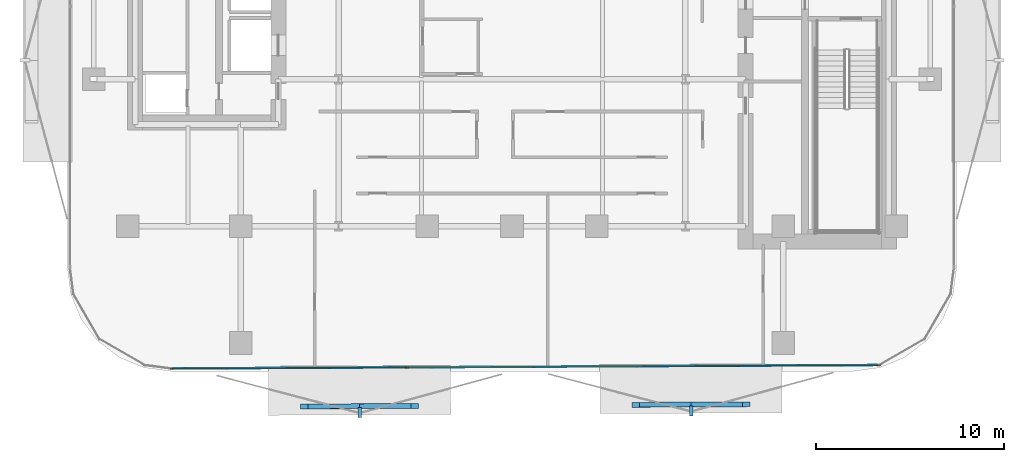
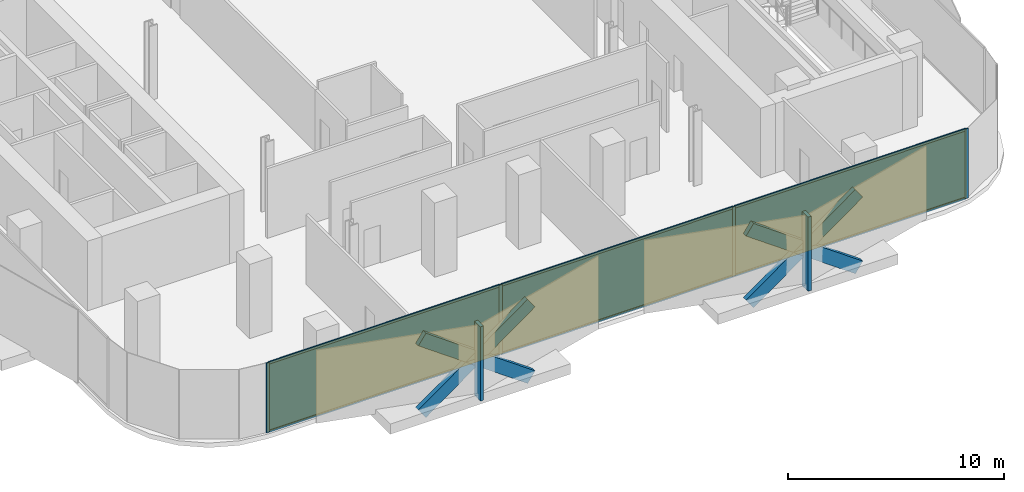
# One storey, part 7 of 15: 16 members, 3 plates, 1 curtain wall.
"""IFC4 building model written with IfcOpenShell, lengths in metres."""

from ifc_helpers import new_model, si_unit, direction, frame, frame_2d, origin, origin_2d, place, context, subcontext, project, spatial, rectangle, extrude, material, layer, layer_set, material_profile, profile_set, type_object, element, aggregate, save


model = new_model("IFC4")

# Units and contexts
model_context = context("Model", 3, precision=1e-05, world=origin(), true_north=direction((0.0, 1.0)))
body_context = subcontext(model_context, "Body", "Model", "MODEL_VIEW")
ifc_project = project(units=[si_unit("LENGTHUNIT", "METRE"), si_unit("AREAUNIT", "SQUARE_METRE"), si_unit("VOLUMEUNIT", "CUBIC_METRE"), si_unit("PLANEANGLEUNIT", "RADIAN"), si_unit("MASSUNIT", "GRAM", prefix="KILO")], contexts=[model_context])

# Member
ifc_material_1 = material(Name="Anodised Bronze Aluminium 6063-T6", Category="aluminium")
ifc_material_profile_1 = material_profile(ifc_material_1, rectangle(XDim=0.260009765625, YDim=0.699951171875, at=origin_2d()))
ifc_profile_set_1 = profile_set([ifc_material_profile_1], Name="Anodised Bronze Aluminium 6063-T6")
member_type_1 = type_object("IfcMemberType", Name="Bronze Diamond Solar-Screen Lattice Rib BDL-700", PredefinedType="MULLION", material=ifc_profile_set_1)
site_placement = place(None, origin())
building_placement = place(site_placement, origin())
storey_placement = place(building_placement, frame((0.0, 0.0, 122.60009765625)))
member_1_placement = place(storey_placement, frame((12.43408203125, -28.05078125, -0.130126953125), z_axis=(-0.812934950133, -0.003960582518, 0.582341034651), x_axis=(-0.007717649091, 0.999962326742, -0.003972780951)))
member_1 = element("IfcMember", 1, at=member_1_placement, type_object=member_type_1, Name="L28 Bronze Diamond Solar Screen Lattice Rib 169A", PredefinedType="MULLION", context=body_context, shape_type="SweptSolid", body=[
    extrude(rectangle(XDim=0.260009765625, YDim=0.699951171875, at=origin_2d()), origin(), (0.0, 0.0, 1.0), 7.212158203125),
])

member_2_placement = place(storey_placement, frame((6.571044921875, -28.079345703125, -0.130126953125), z_axis=(0.812934950133, 0.003960582518, 0.582341034651), x_axis=(0.007717649091, -0.999962326742, -0.003972780951)))
member_2 = element("IfcMember", 2, at=member_2_placement, type_object=member_type_1, Name="L28 Bronze Diamond Solar Screen Lattice Rib 169B", PredefinedType="MULLION", context=body_context, shape_type="SweptSolid", body=[
    extrude(rectangle(XDim=0.260009765625, YDim=0.699951171875, at=origin_2d()), origin(), (0.0, 0.0, 1.0), 7.212158203125),
])

member_3_placement = place(storey_placement, frame((-5.15478515625, -28.13671875, -0.130126953125), z_axis=(-0.812934950133, -0.003960582518, 0.582341034651), x_axis=(-0.007717649091, 0.999962326742, -0.003972780951)))
member_3 = element("IfcMember", 3, at=member_3_placement, type_object=member_type_1, Name="L28 Bronze Diamond Solar Screen Lattice Rib 170A", PredefinedType="MULLION", context=body_context, shape_type="SweptSolid", body=[
    extrude(rectangle(XDim=0.260009765625, YDim=0.699951171875, at=origin_2d()), origin(), (0.0, 0.0, 1.0), 7.212158203125),
])

member_4_placement = place(storey_placement, frame((-11.017822265625, -28.165283203125, -0.130126953125), z_axis=(0.812934950133, 0.003960582518, 0.582341034651), x_axis=(0.007717649091, -0.999962326742, -0.003972780951)))
member_4 = element("IfcMember", 4, at=member_4_placement, type_object=member_type_1, Name="L28 Bronze Diamond Solar Screen Lattice Rib 170B", PredefinedType="MULLION", context=body_context, shape_type="SweptSolid", body=[
    extrude(rectangle(XDim=0.260009765625, YDim=0.699951171875, at=origin_2d()), origin(), (0.0, 0.0, 1.0), 7.212158203125),
])

ifc_material_2 = material(Name="Anodised Bronze Aluminium 6063-T6", Category="aluminium")
ifc_material_profile_2 = material_profile(ifc_material_2, rectangle(XDim=0.179931640625, YDim=0.5400390625, at=origin_2d()))
ifc_profile_set_2 = profile_set([ifc_material_profile_2], Name="Anodised Bronze Aluminium 6063-T6")
member_type_2 = type_object("IfcMemberType", Name="Bronze Solar-Screen Vertical Fold Fin BSF-540", PredefinedType="MULLION", material=ifc_profile_set_2)
member_5_placement = place(storey_placement, frame((9.504150390625, -28.405029296875, -0.130126953125), z_axis=(0.0, 0.0, 1.0), x_axis=(-0.999988059021, -0.004886902454, 0.0)))
member_5 = element("IfcMember", 5, at=member_5_placement, type_object=member_type_2, Name="L28 Bronze Solar Screen Vertical Fin 169", PredefinedType="MULLION", context=body_context, shape_type="SweptSolid", body=[
    extrude(rectangle(XDim=0.179931640625, YDim=0.5400390625, at=origin_2d()), origin(), (0.0, 0.0, 1.0), 4.199951171875),
])

member_6_placement = place(storey_placement, frame((-8.084716796875, -28.4912109375, -0.130126953125), z_axis=(0.0, 0.0, 1.0), x_axis=(-0.999988059021, -0.004886902454, 0.0)))
member_6 = element("IfcMember", 6, at=member_6_placement, type_object=member_type_2, Name="L28 Bronze Solar Screen Vertical Fin 170", PredefinedType="MULLION", context=body_context, shape_type="SweptSolid", body=[
    extrude(rectangle(XDim=0.179931640625, YDim=0.5400390625, at=origin_2d()), origin(), (0.0, 0.0, 1.0), 4.199951171875),
])

ifc_material_3 = material(Name="Anodised Bronze Aluminium 6063-T6", Category="aluminium")
ifc_material_profile_3 = material_profile(ifc_material_3, rectangle(XDim=0.06494140625, YDim=0.175048828125, at=origin_2d()))
ifc_profile_set_3 = profile_set([ifc_material_profile_3], Name="Anodised Bronze Aluminium 6063-T6")
member_type_3 = type_object("IfcMemberType", Name="CW-Z2 Mullion 65x175", PredefinedType="MULLION", material=ifc_profile_set_3)
member_7_placement = place(storey_placement, frame((19.45458984375, -25.976318359375, 0.0), z_axis=(0.0, 0.0, 1.0), x_axis=(0.004891127252, -0.999988038366, 0.0)))
member_7 = element("IfcMember", 7, at=member_7_placement, type_object=member_type_3, Name="CW-Z2 mullion 1", PredefinedType="MULLION", context=body_context, shape_type="SweptSolid", body=[
    extrude(rectangle(XDim=0.06494140625, YDim=0.175048828125, at=origin_2d()), origin(), (0.0, 0.0, 1.0), 3.93994140625),
])

member_8_placement = place(storey_placement, frame((6.961181640625, -26.037353515625, 0.0), z_axis=(0.0, 0.0, 1.0), x_axis=(0.004891127252, -0.999988038366, 0.0)))
member_8 = element("IfcMember", 8, at=member_8_placement, type_object=member_type_3, Name="CW-Z2 mullion 2", PredefinedType="MULLION", context=body_context, shape_type="SweptSolid", body=[
    extrude(rectangle(XDim=0.06494140625, YDim=0.175048828125, at=origin_2d()), origin(), (0.0, 0.0, 1.0), 3.93994140625),
])

member_9_placement = place(storey_placement, frame((-5.56494140625, -26.0986328125, 0.0), z_axis=(0.0, 0.0, 1.0), x_axis=(0.004891127252, -0.999988038366, 0.0)))
member_9 = element("IfcMember", 9, at=member_9_placement, type_object=member_type_3, Name="CW-Z2 mullion 3", PredefinedType="MULLION", context=body_context, shape_type="SweptSolid", body=[
    extrude(rectangle(XDim=0.06494140625, YDim=0.175048828125, at=origin_2d()), origin(), (0.0, 0.0, 1.0), 3.93994140625),
])

member_10_placement = place(storey_placement, frame((-18.058349609375, -26.159912109375, 0.0), z_axis=(0.0, 0.0, 1.0), x_axis=(0.004891127252, -0.999988038366, 0.0)))
member_10 = element("IfcMember", 10, at=member_10_placement, type_object=member_type_3, Name="CW-Z2 mullion 4", PredefinedType="MULLION", context=body_context, shape_type="SweptSolid", body=[
    extrude(rectangle(XDim=0.06494140625, YDim=0.175048828125, at=origin_2d()), origin(), (0.0, 0.0, 1.0), 3.93994140625),
])

ifc_material_4 = material(Name="Anodised Bronze Aluminium 6063-T6", Category="aluminium")
ifc_material_profile_4 = material_profile(ifc_material_4, rectangle(XDim=0.06494140625, YDim=0.135009765625, at=origin_2d()))
ifc_profile_set_4 = profile_set([ifc_material_profile_4], Name="Anodised Bronze Aluminium 6063-T6")
member_type_4 = type_object("IfcMemberType", Name="CW-Z2 Transom 65x135", PredefinedType="USERDEFINED", material=ifc_profile_set_4)
member_11_placement = place(storey_placement, frame((19.422119140625, -25.9765625, 0.032470703125), z_axis=(-0.999988037942, -0.00489121381, 0.0), x_axis=(0.00489121381, -0.999988037942, 0.0)))
member_11 = element("IfcMember", 11, at=member_11_placement, type_object=member_type_4, Name="CW-Z2 transom 1.1", ObjectType="TRANSOM", PredefinedType="USERDEFINED", context=body_context, shape_type="SweptSolid", body=[
    extrude(rectangle(XDim=0.06494140625, YDim=0.135009765625, at=origin_2d()), origin(), (0.0, 0.0, 1.0), 12.4287109375),
])

member_12_placement = place(storey_placement, frame((19.422119140625, -25.9765625, 3.907470703125), z_axis=(-0.999988037942, -0.00489121381, 0.0), x_axis=(0.00489121381, -0.999988037942, 0.0)))
member_12 = element("IfcMember", 12, at=member_12_placement, type_object=member_type_4, Name="CW-Z2 transom 1.2", ObjectType="TRANSOM", PredefinedType="USERDEFINED", context=body_context, shape_type="SweptSolid", body=[
    extrude(rectangle(XDim=0.06494140625, YDim=0.135009765625, at=origin_2d()), origin(), (0.0, 0.0, 1.0), 12.4287109375),
])

member_13_placement = place(storey_placement, frame((6.928466796875, -26.03759765625, 0.032470703125), z_axis=(-0.99998800443, -0.004898060367, 0.0), x_axis=(0.004898060367, -0.99998800443, 0.0)))
member_13 = element("IfcMember", 13, at=member_13_placement, type_object=member_type_4, Name="CW-Z2 transom 2.1", ObjectType="TRANSOM", PredefinedType="USERDEFINED", context=body_context, shape_type="SweptSolid", body=[
    extrude(rectangle(XDim=0.06494140625, YDim=0.135009765625, at=origin_2d()), origin(), (0.0, 0.0, 1.0), 12.461181640625),
])

member_14_placement = place(storey_placement, frame((6.928466796875, -26.03759765625, 3.907470703125), z_axis=(-0.99998800443, -0.004898060367, 0.0), x_axis=(0.004898060367, -0.99998800443, 0.0)))
member_14 = element("IfcMember", 14, at=member_14_placement, type_object=member_type_4, Name="CW-Z2 transom 2.2", ObjectType="TRANSOM", PredefinedType="USERDEFINED", context=body_context, shape_type="SweptSolid", body=[
    extrude(rectangle(XDim=0.06494140625, YDim=0.135009765625, at=origin_2d()), origin(), (0.0, 0.0, 1.0), 12.461181640625),
])

member_15_placement = place(storey_placement, frame((-5.597412109375, -26.098876953125, 0.032470703125), z_axis=(-0.999988037942, -0.00489121381, 0.0), x_axis=(0.00489121381, -0.999988037942, 0.0)))
member_15 = element("IfcMember", 15, at=member_15_placement, type_object=member_type_4, Name="CW-Z2 transom 3.1", ObjectType="TRANSOM", PredefinedType="USERDEFINED", context=body_context, shape_type="SweptSolid", body=[
    extrude(rectangle(XDim=0.06494140625, YDim=0.135009765625, at=origin_2d()), origin(), (0.0, 0.0, 1.0), 12.4287109375),
])

member_16_placement = place(storey_placement, frame((-5.597412109375, -26.098876953125, 3.907470703125), z_axis=(-0.999988037942, -0.00489121381, 0.0), x_axis=(0.00489121381, -0.999988037942, 0.0)))
member_16 = element("IfcMember", 16, at=member_16_placement, type_object=member_type_4, Name="CW-Z2 transom 3.2", ObjectType="TRANSOM", PredefinedType="USERDEFINED", context=body_context, shape_type="SweptSolid", body=[
    extrude(rectangle(XDim=0.06494140625, YDim=0.135009765625, at=origin_2d()), origin(), (0.0, 0.0, 1.0), 12.4287109375),
])

# Plate
ifc_material_5 = material(Name="Low-E Solar Control Laminated Glass", Category="glass")
ifc_layer_1 = layer(ifc_material_5, 0.028076171875, Name="Low-E Solar Control Laminated Glass")
ifc_layer_set_1 = layer_set([ifc_layer_1], Name="Low-E Solar Control Laminated Glass")
plate_type = type_object("IfcPlateType", Name="CW-Z2 Low-E Double Glazed Panel 28mm", PredefinedType="CURTAIN_PANEL", material=ifc_layer_set_1)
plate_1_placement = place(storey_placement, frame((13.207763671875, -26.0068359375, 0.06494140625), z_axis=(0.0, 0.0, 1.0), x_axis=(-0.999988038366, -0.004891127252, 0.0)))
plate_1 = element("IfcPlate", 17, at=plate_1_placement, type_object=plate_type, Name="CW-Z2 panel 1.1", PredefinedType="CURTAIN_PANEL", context=body_context, shape_type="SweptSolid", body=[
    extrude(rectangle(XDim=12.428466796875, YDim=0.028076171875, at=origin_2d()), origin(), (0.0, 0.0, 1.0), 3.81005859375),
])

plate_2_placement = place(storey_placement, frame((0.697998046875, -26.068115234375, 0.06494140625), z_axis=(0.0, 0.0, 1.0), x_axis=(-0.999988038366, -0.004891127252, 0.0)))
plate_2 = element("IfcPlate", 18, at=plate_2_placement, type_object=plate_type, Name="CW-Z2 panel 2.1", PredefinedType="CURTAIN_PANEL", context=body_context, shape_type="SweptSolid", body=[
    extrude(rectangle(XDim=12.461181640625, YDim=0.028076171875, at=origin_2d()), origin(), (0.0, 0.0, 1.0), 3.81005859375),
])

plate_3_placement = place(storey_placement, frame((-11.8115234375, -26.12939453125, 0.06494140625), z_axis=(0.0, 0.0, 1.0), x_axis=(-0.999988038366, -0.004891127252, 0.0)))
plate_3 = element("IfcPlate", 19, at=plate_3_placement, type_object=plate_type, Name="CW-Z2 panel 3.1", PredefinedType="CURTAIN_PANEL", context=body_context, shape_type="SweptSolid", body=[
    extrude(rectangle(XDim=12.428466796875, YDim=0.028076171875, at=origin_2d()), origin(), (0.0, 0.0, 1.0), 3.81005859375),
])

# Site, building, storey
site = spatial("IfcSite", under=ifc_project, at=site_placement, CompositionType="ELEMENT")
building = spatial("IfcBuilding", under=site, at=building_placement, Name="Khairoan Windgate Tower", CompositionType="ELEMENT")
storey = spatial("IfcBuildingStorey", under=building, at=storey_placement, Name="L28", CompositionType="ELEMENT", Elevation=122.60009765625)

# Curtain wall
ifc_material_6 = material(Name="Anodised Bronze Aluminium 6063-T6", Category="aluminium")
ifc_layer_2 = layer(ifc_material_6, 0.175048828125, Name="Anodised Bronze Aluminium 6063-T6")
ifc_layer_set_2 = layer_set([ifc_layer_2], Name="Anodised Bronze Aluminium 6063-T6")
curtain_wall_type = type_object("IfcCurtainWallType", Name="Mid-Rise Office Unitised Curtain Wall CW-Z2", PredefinedType="NOTDEFINED", material=ifc_layer_set_2)
curtain_wall_placement = place(storey_placement, frame((19.487060546875, -25.976318359375, 0.0), z_axis=(0.0, 0.0, 1.0), x_axis=(-0.999988065247, -0.004885628318, 0.0)))
curtain_wall = element("IfcCurtainWall", 20, at=curtain_wall_placement, inside=storey, type_object=curtain_wall_type, Name="L28 Unitised Curtain Wall 1", PredefinedType="NOTDEFINED", context=body_context, shape_type="SweptSolid", body=[
    extrude(rectangle(XDim=37.578369140625, YDim=0.010009765625, at=frame_2d((18.7890625, 0.0))), origin(), (0.0, 0.0, 1.0), 3.93994140625),
])

aggregate(curtain_wall, [member_7, member_8, member_9, member_10, member_11, member_12, plate_1, member_13, member_14, plate_2, member_15, member_16, plate_3, member_1, member_2, member_5, member_3, member_4, member_6])

save(model, "model.ifc")
